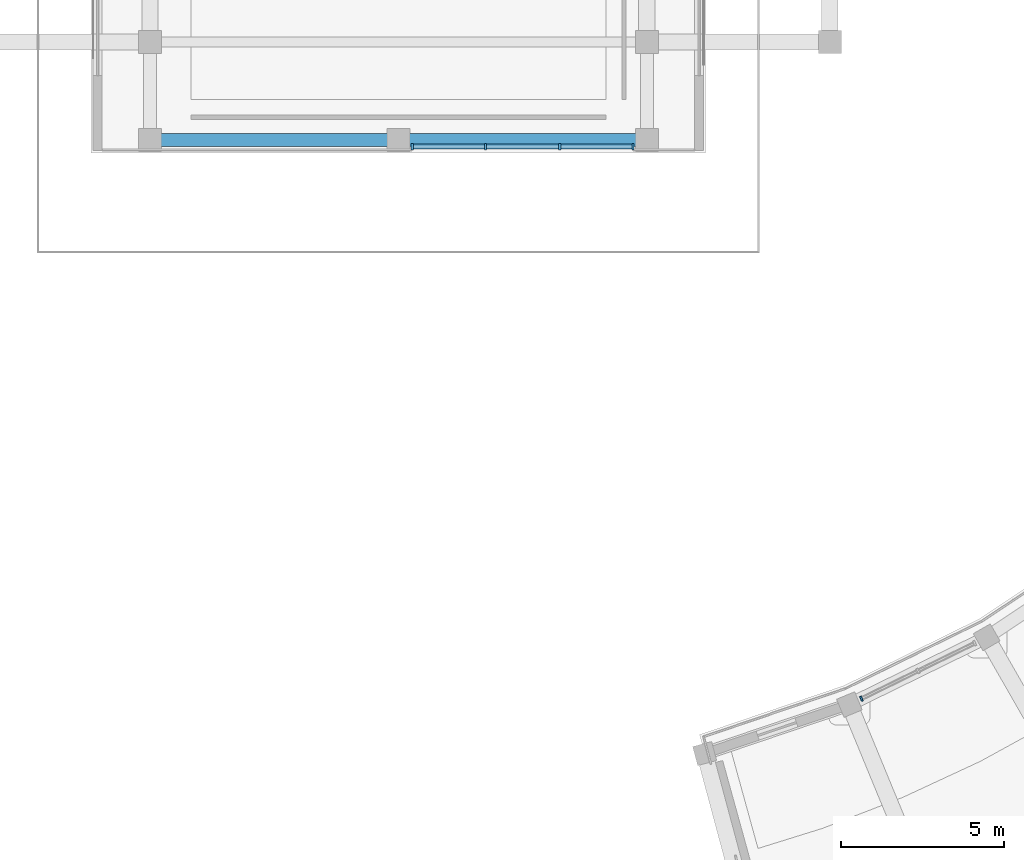
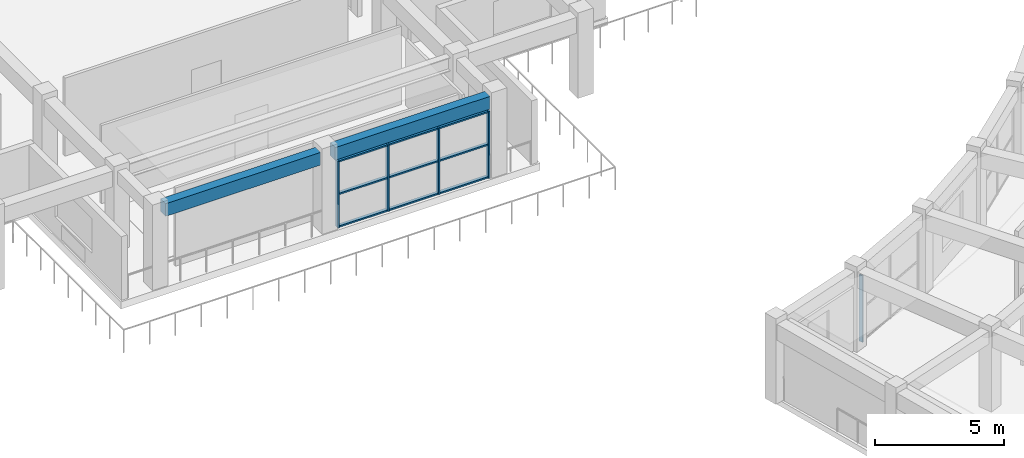
# One storey, part 11 of 53: 14 members, 2 beams, 2 elements without a shape of their own.
"""IFC4 building model written with IfcOpenShell, lengths in metres."""

from ifc_helpers import new_model, si_unit, direction, frame, origin, origin_2d, place, context, subcontext, project, spatial, rectangle, extrude, material, material_profile, profile_set, type_object, element, aggregate, save


model = new_model("IFC4")

# Units and contexts
model_context = context("Model", 3, precision=1e-05, world=origin(), true_north=direction((0.0, 1.0)))
body_context = subcontext(model_context, "Body", "Model", "MODEL_VIEW")
ifc_project = project(units=[si_unit("LENGTHUNIT", "METRE"), si_unit("AREAUNIT", "SQUARE_METRE"), si_unit("VOLUMEUNIT", "CUBIC_METRE"), si_unit("PLANEANGLEUNIT", "RADIAN"), si_unit("MASSUNIT", "GRAM", prefix="KILO")], contexts=[model_context])

# Site, building, storey
site_placement = place(None, origin())
site = spatial("IfcSite", under=ifc_project, at=site_placement, CompositionType="ELEMENT")
building_placement = place(site_placement, origin())
building = spatial("IfcBuilding", under=site, at=building_placement, Name="Saryqyr Civic Hall", CompositionType="ELEMENT")
storey_placement = place(building_placement, frame((0.0, 0.0, 21.300048828125)))
storey = spatial("IfcBuildingStorey", under=building, at=storey_placement, Name="L05", CompositionType="ELEMENT", Elevation=21.300048828125)

# Curtain wall, member
ifc_material_1 = material(Name="Anodised aluminium and triple low-E glass", Category="aluminium")
curtain_wall_type_1 = type_object("IfcCurtainWallType", Name="ENV-CW-STD-25", PredefinedType="NOTDEFINED", material=ifc_material_1)
curtain_wall_1_placement = place(storey_placement, origin())
curtain_wall_1 = element("IfcCurtainWall", 1, at=curtain_wall_1_placement, inside=storey, type_object=curtain_wall_type_1, Name="Curtain wall V5-CWI-L05-01", PredefinedType="NOTDEFINED")
ifc_material_2 = material(Name="Anodised aluminium", Category="aluminium")
ifc_material_profile_1 = material_profile(ifc_material_2, rectangle(XDim=0.06005859375, YDim=0.159912109375, at=origin_2d()), Name="ALU MULLION 60x160")
ifc_profile_set_1 = profile_set([ifc_material_profile_1], Name="Anodised aluminium")
member_type_1 = type_object("IfcMemberType", Name="ENV-CW-MUL-180", PredefinedType="MULLION", material=ifc_profile_set_1)
member_1_placement = place(storey_placement, frame((71.16455078125, 50.71240234375, 0.0), z_axis=(0.0, 0.0, 1.0), x_axis=(0.897961859945, 0.440073287175, 0.0)))
member_1 = element("IfcMember", 2, at=member_1_placement, type_object=member_type_1, Name="CW-25 mullion 1", PredefinedType="MULLION", context=body_context, shape_type="SweptSolid", body=[
    extrude(rectangle(XDim=0.06005859375, YDim=0.159912109375, at=origin_2d()), origin(), (0.0, 0.0, 1.0), 3.155029296875),
])
aggregate(curtain_wall_1, [member_1])

# Curtain wall, members
curtain_wall_type_2 = type_object("IfcCurtainWallType", Name="ENV-CW-HVY-49", PredefinedType="NOTDEFINED", material=ifc_material_1)
curtain_wall_2_placement = place(storey_placement, origin())
curtain_wall_2 = element("IfcCurtainWall", 3, at=curtain_wall_2_placement, inside=storey, type_object=curtain_wall_type_2, Name="Curtain wall V1-CW-L05-11", PredefinedType="NOTDEFINED")
ifc_material_profile_2 = material_profile(ifc_material_2, rectangle(XDim=0.070068359375, YDim=0.199951171875, at=origin_2d()), Name="ALU MULLION 70x200")
ifc_profile_set_2 = profile_set([ifc_material_profile_2], Name="Anodised aluminium")
member_type_2 = type_object("IfcMemberType", Name="ENV-CW-MUL-220", PredefinedType="MULLION", material=ifc_profile_set_2)
member_2_placement = place(storey_placement, frame((64.175048828125, 67.60009765625, 0.0), z_axis=(0.0, 0.0, 1.0), x_axis=(-1.0, 0.0, 0.0)))
member_2 = element("IfcMember", 4, at=member_2_placement, type_object=member_type_2, Name="CW-49 mullion 1", PredefinedType="MULLION", context=body_context, shape_type="SweptSolid", body=[
    extrude(rectangle(XDim=0.070068359375, YDim=0.199951171875, at=origin_2d()), origin(), (0.0, 0.0, 1.0), 3.1650390625),
])
member_3_placement = place(storey_placement, frame((61.936767578125, 67.60009765625, 0.0), z_axis=(0.0, 0.0, 1.0), x_axis=(-1.0, 0.0, 0.0)))
member_3 = element("IfcMember", 5, at=member_3_placement, type_object=member_type_2, Name="CW-49 mullion 2", PredefinedType="MULLION", context=body_context, shape_type="SweptSolid", body=[
    extrude(rectangle(XDim=0.070068359375, YDim=0.199951171875, at=origin_2d()), origin(), (0.0, 0.0, 1.0), 3.1650390625),
])
member_4_placement = place(storey_placement, frame((59.663330078125, 67.60009765625, 0.0), z_axis=(0.0, 0.0, 1.0), x_axis=(-1.0, 0.0, 0.0)))
member_4 = element("IfcMember", 6, at=member_4_placement, type_object=member_type_2, Name="CW-49 mullion 3", PredefinedType="MULLION", context=body_context, shape_type="SweptSolid", body=[
    extrude(rectangle(XDim=0.070068359375, YDim=0.199951171875, at=origin_2d()), origin(), (0.0, 0.0, 1.0), 3.1650390625),
])
member_5_placement = place(storey_placement, frame((57.425048828125, 67.60009765625, 0.0), z_axis=(0.0, 0.0, 1.0), x_axis=(-1.0, 0.0, 0.0)))
member_5 = element("IfcMember", 7, at=member_5_placement, type_object=member_type_2, Name="CW-49 mullion 4", PredefinedType="MULLION", context=body_context, shape_type="SweptSolid", body=[
    extrude(rectangle(XDim=0.070068359375, YDim=0.199951171875, at=origin_2d()), origin(), (0.0, 0.0, 1.0), 3.1650390625),
])
ifc_material_profile_3 = material_profile(ifc_material_2, rectangle(XDim=0.14990234375, YDim=0.070068359375, at=origin_2d()), Name="ALU TRANSOM 150x70")
ifc_profile_set_3 = profile_set([ifc_material_profile_3], Name="Anodised aluminium")
member_type_3 = type_object("IfcMemberType", Name="ENV-CW-TRN-180", PredefinedType="USERDEFINED", material=ifc_profile_set_3)
member_6_placement = place(storey_placement, frame((64.139892578125, 67.60009765625, 0.034912109375), z_axis=(-1.0, 0.0, 0.0), x_axis=(0.0, -1.0, 0.0)))
member_6 = element("IfcMember", 8, at=member_6_placement, type_object=member_type_3, Name="CW-49 transom 1.1", ObjectType="TRANSOM", PredefinedType="USERDEFINED", context=body_context, shape_type="SweptSolid", body=[
    extrude(rectangle(XDim=0.14990234375, YDim=0.070068359375, at=origin_2d()), origin(), (0.0, 0.0, 1.0), 2.168212890625),
])
member_7_placement = place(storey_placement, frame((64.139892578125, 67.60009765625, 1.5830078125), z_axis=(-1.0, 0.0, 0.0), x_axis=(0.0, -1.0, 0.0)))
member_7 = element("IfcMember", 9, at=member_7_placement, type_object=member_type_3, Name="CW-49 transom 1.2", ObjectType="TRANSOM", PredefinedType="USERDEFINED", context=body_context, shape_type="SweptSolid", body=[
    extrude(rectangle(XDim=0.14990234375, YDim=0.070068359375, at=origin_2d()), origin(), (0.0, 0.0, 1.0), 2.168212890625),
])
member_8_placement = place(storey_placement, frame((64.139892578125, 67.60009765625, 3.1298828125), z_axis=(-1.0, 0.0, 0.0), x_axis=(0.0, -1.0, 0.0)))
member_8 = element("IfcMember", 10, at=member_8_placement, type_object=member_type_3, Name="CW-49 transom 1.3", ObjectType="TRANSOM", PredefinedType="USERDEFINED", context=body_context, shape_type="SweptSolid", body=[
    extrude(rectangle(XDim=0.14990234375, YDim=0.070068359375, at=origin_2d()), origin(), (0.0, 0.0, 1.0), 2.168212890625),
])
member_9_placement = place(storey_placement, frame((61.901611328125, 67.60009765625, 0.034912109375), z_axis=(-1.0, 0.0, 0.0), x_axis=(0.0, -1.0, 0.0)))
member_9 = element("IfcMember", 11, at=member_9_placement, type_object=member_type_3, Name="CW-49 transom 2.1", ObjectType="TRANSOM", PredefinedType="USERDEFINED", context=body_context, shape_type="SweptSolid", body=[
    extrude(rectangle(XDim=0.14990234375, YDim=0.070068359375, at=origin_2d()), origin(), (0.0, 0.0, 1.0), 2.203369140625),
])
member_10_placement = place(storey_placement, frame((61.901611328125, 67.60009765625, 1.5830078125), z_axis=(-1.0, 0.0, 0.0), x_axis=(0.0, -1.0, 0.0)))
member_10 = element("IfcMember", 12, at=member_10_placement, type_object=member_type_3, Name="CW-49 transom 2.2", ObjectType="TRANSOM", PredefinedType="USERDEFINED", context=body_context, shape_type="SweptSolid", body=[
    extrude(rectangle(XDim=0.14990234375, YDim=0.070068359375, at=origin_2d()), origin(), (0.0, 0.0, 1.0), 2.203369140625),
])
member_11_placement = place(storey_placement, frame((61.901611328125, 67.60009765625, 3.1298828125), z_axis=(-1.0, 0.0, 0.0), x_axis=(0.0, -1.0, 0.0)))
member_11 = element("IfcMember", 13, at=member_11_placement, type_object=member_type_3, Name="CW-49 transom 2.3", ObjectType="TRANSOM", PredefinedType="USERDEFINED", context=body_context, shape_type="SweptSolid", body=[
    extrude(rectangle(XDim=0.14990234375, YDim=0.070068359375, at=origin_2d()), origin(), (0.0, 0.0, 1.0), 2.203369140625),
])
member_12_placement = place(storey_placement, frame((59.62841796875, 67.60009765625, 0.034912109375), z_axis=(-1.0, 0.0, 0.0), x_axis=(0.0, -1.0, 0.0)))
member_12 = element("IfcMember", 14, at=member_12_placement, type_object=member_type_3, Name="CW-49 transom 3.1", ObjectType="TRANSOM", PredefinedType="USERDEFINED", context=body_context, shape_type="SweptSolid", body=[
    extrude(rectangle(XDim=0.14990234375, YDim=0.070068359375, at=origin_2d()), origin(), (0.0, 0.0, 1.0), 2.16845703125),
])
member_13_placement = place(storey_placement, frame((59.62841796875, 67.60009765625, 1.5830078125), z_axis=(-1.0, 0.0, 0.0), x_axis=(0.0, -1.0, 0.0)))
member_13 = element("IfcMember", 15, at=member_13_placement, type_object=member_type_3, Name="CW-49 transom 3.2", ObjectType="TRANSOM", PredefinedType="USERDEFINED", context=body_context, shape_type="SweptSolid", body=[
    extrude(rectangle(XDim=0.14990234375, YDim=0.070068359375, at=origin_2d()), origin(), (0.0, 0.0, 1.0), 2.16845703125),
])
member_14_placement = place(storey_placement, frame((59.62841796875, 67.60009765625, 3.1298828125), z_axis=(-1.0, 0.0, 0.0), x_axis=(0.0, -1.0, 0.0)))
member_14 = element("IfcMember", 16, at=member_14_placement, type_object=member_type_3, Name="CW-49 transom 3.3", ObjectType="TRANSOM", PredefinedType="USERDEFINED", context=body_context, shape_type="SweptSolid", body=[
    extrude(rectangle(XDim=0.14990234375, YDim=0.070068359375, at=origin_2d()), origin(), (0.0, 0.0, 1.0), 2.16845703125),
])
aggregate(curtain_wall_2, [member_2, member_3, member_4, member_5, member_6, member_7, member_8, member_9, member_10, member_11, member_12, member_13, member_14])

# Beams
ifc_material_3 = material(Name="Concrete C35/45", Category="concrete")
ifc_material_profile_4 = material_profile(ifc_material_3, rectangle(XDim=0.39990234375, YDim=0.60009765625, at=origin_2d()), Name="RC 400x600")
ifc_profile_set_4 = profile_set([ifc_material_profile_4], Name="Concrete C35/45")
beam_type = type_object("IfcBeamType", Name="STR-BM-RC400x600", PredefinedType="BEAM", material=ifc_profile_set_4)
for number, where, z_axis, x_axis, name in (
    (17, (49.72509765625, 67.800048828125, 3.489990234375), (1.0, 0.0, 0.0), (0.0, 1.0, 0.0), "Beam V1-TBM-15-L05"),
    (18, (57.324951171875, 67.800048828125, 3.489990234375), (1.0, 0.0, 0.0), (0.0, 1.0, 0.0), "Beam V1-TBM-16-L05"),
):
    element("IfcBeam", number, at=place(storey_placement, frame(where, z_axis=z_axis, x_axis=x_axis)), inside=storey, type_object=beam_type, Name=name, PredefinedType="BEAM", context=body_context, shape_type="SweptSolid", body=[
        extrude(rectangle(XDim=0.39990234375, YDim=0.60009765625, at=origin_2d()), origin(), (0.0, 0.0, 1.0), 6.949951171875),
    ])

save(model, "model.ifc")
